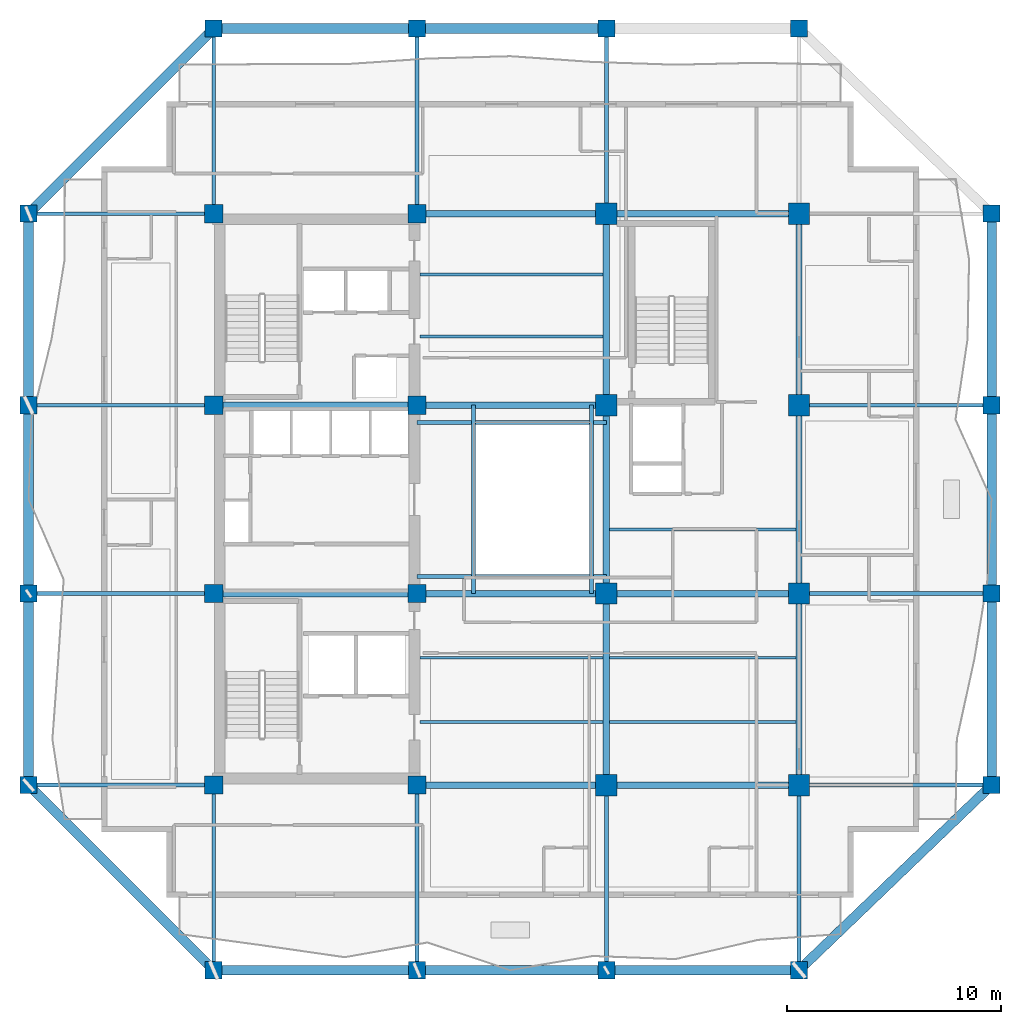
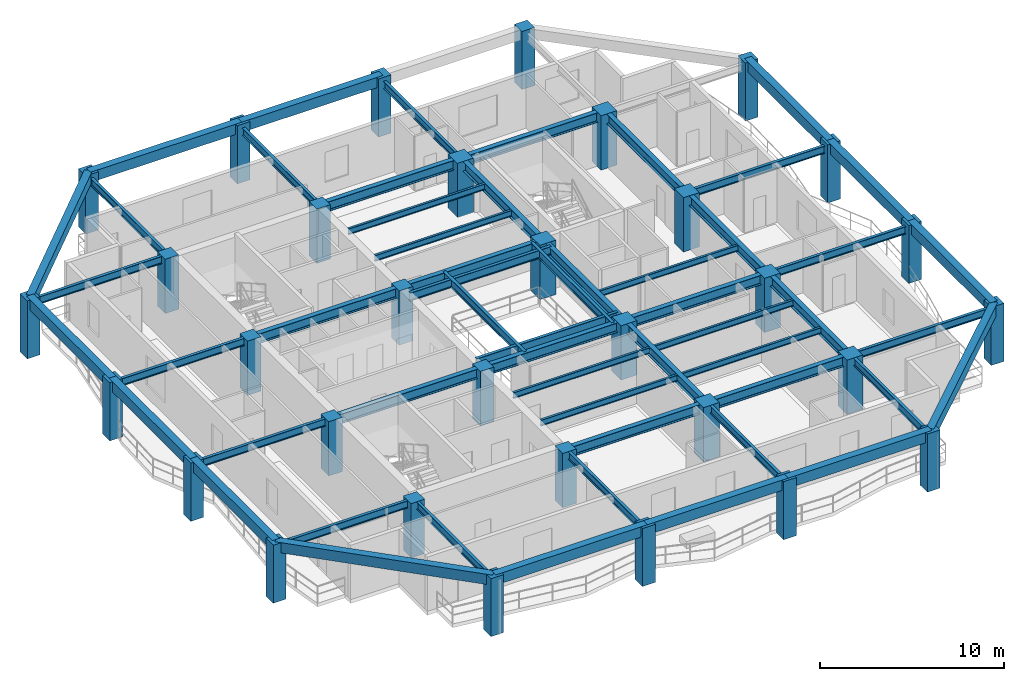
# One storey, part 1 of 10: 54 beams, 32 columns.
"""IFC4 building model written with IfcOpenShell, lengths in metres."""

from ifc_helpers import new_model, si_unit, direction, frame, origin, origin_2d, place, context, subcontext, project, spatial, rectangle, i_section, extrude, material, material_profile, profile_set, type_object, element, save


model = new_model("IFC4")

# Units and contexts
model_context = context("Model", 3, precision=1e-05, world=origin(), true_north=direction((0.0, 1.0)))
body_context = subcontext(model_context, "Body", "Model", "MODEL_VIEW")
ifc_project = project(units=[si_unit("LENGTHUNIT", "METRE"), si_unit("AREAUNIT", "SQUARE_METRE"), si_unit("VOLUMEUNIT", "CUBIC_METRE"), si_unit("PLANEANGLEUNIT", "RADIAN"), si_unit("MASSUNIT", "GRAM", prefix="KILO")], contexts=[model_context])

# Site, building, storey
site_placement = place(None, origin())
site = spatial("IfcSite", under=ifc_project, at=site_placement, CompositionType="ELEMENT")
building_placement = place(site_placement, origin())
building = spatial("IfcBuilding", under=site, at=building_placement, Name="Kundavana Baori Tower", CompositionType="ELEMENT")
storey_placement = place(building_placement, frame((0.0, 0.0, 115.550048828125)))
storey = spatial("IfcBuildingStorey", under=building, at=storey_placement, Name="L27", CompositionType="ELEMENT", Elevation=115.550048828125)

# Columns
ifc_material_1 = material(Name="Concrete C50/60", Category="concrete")
ifc_material_profile_1 = material_profile(ifc_material_1, rectangle(XDim=0.800048828125, YDim=0.800048828125, at=origin_2d()), Name="RC PF 800x800")
ifc_profile_set_1 = profile_set([ifc_material_profile_1], Name="Concrete C50/60")
column_type_1 = type_object("IfcColumnType", Name="COL-PF-800", PredefinedType="COLUMN", material=ifc_profile_set_1)
for number, where, z_axis, x_axis, name in (
    (1, (15.449951171875, 6.60009765625, 0.0), (0.0, 0.0, 1.0), (1.0, 0.0, 0.0), "L27 Stone-Clad Perimeter Frame Column PF-S1"),
    (2, (15.449951171875, 50.60009765625, 0.0), (0.0, 0.0, 1.0), (1.0, 0.0, 0.0), "L27 Stone-Clad Perimeter Frame Column PF-N1"),
    (3, (24.949951171875, 6.60009765625, 0.0), (0.0, 0.0, 1.0), (1.0, 0.0, 0.0), "L27 Stone-Clad Perimeter Frame Column PF-S2"),
    (4, (24.949951171875, 50.60009765625, 0.0), (0.0, 0.0, 1.0), (1.0, 0.0, 0.0), "L27 Stone-Clad Perimeter Frame Column PF-N2"),
    (5, (33.800048828125, 6.60009765625, 0.0), (0.0, 0.0, 1.0), (1.0, 0.0, 0.0), "L27 Stone-Clad Perimeter Frame Column PF-S3"),
    (6, (33.800048828125, 50.60009765625, 0.0), (0.0, 0.0, 1.0), (1.0, 0.0, 0.0), "L27 Stone-Clad Perimeter Frame Column PF-N3"),
    (7, (42.800048828125, 6.60009765625, 0.0), (0.0, 0.0, 1.0), (1.0, 0.0, 0.0), "L27 Stone-Clad Perimeter Frame Column PF-S4"),
    (8, (42.800048828125, 50.60009765625, 0.0), (0.0, 0.0, 1.0), (1.0, 0.0, 0.0), "L27 Stone-Clad Perimeter Frame Column PF-N4"),
    (9, (6.800048828125, 15.25, 0.0), (0.0, 0.0, 1.0), (1.0, 0.0, 0.0), "L27 Stone-Clad Perimeter Frame Column PF-W1"),
    (10, (51.800048828125, 15.25, 0.0), (0.0, 0.0, 1.0), (1.0, 0.0, 0.0), "L27 Stone-Clad Perimeter Frame Column PF-E1"),
    (11, (6.800048828125, 24.199951171875, 0.0), (0.0, 0.0, 1.0), (1.0, 0.0, 0.0), "L27 Stone-Clad Perimeter Frame Column PF-W2"),
    (12, (51.800048828125, 24.199951171875, 0.0), (0.0, 0.0, 1.0), (1.0, 0.0, 0.0), "L27 Stone-Clad Perimeter Frame Column PF-E2"),
    (13, (6.800048828125, 33.0, 0.0), (0.0, 0.0, 1.0), (1.0, 0.0, 0.0), "L27 Stone-Clad Perimeter Frame Column PF-W3"),
    (14, (51.800048828125, 33.0, 0.0), (0.0, 0.0, 1.0), (1.0, 0.0, 0.0), "L27 Stone-Clad Perimeter Frame Column PF-E3"),
    (15, (6.800048828125, 41.949951171875, 0.0), (0.0, 0.0, 1.0), (1.0, 0.0, 0.0), "L27 Stone-Clad Perimeter Frame Column PF-W4"),
    (16, (51.800048828125, 41.949951171875, 0.0), (0.0, 0.0, 1.0), (1.0, 0.0, 0.0), "L27 Stone-Clad Perimeter Frame Column PF-E4"),
):
    element("IfcColumn", number, at=place(storey_placement, frame(where, z_axis=z_axis, x_axis=x_axis)), inside=storey, type_object=column_type_1, Name=name, PredefinedType="COLUMN", context=body_context, shape_type="SweptSolid", body=[
        extrude(rectangle(XDim=0.800048828125, YDim=0.800048828125, at=origin_2d()), origin(), (0.0, 0.0, 1.0), 3.849853515625),
    ])
ifc_material_2 = material(Name="Concrete C50/60", Category="concrete")
ifc_material_profile_2 = material_profile(ifc_material_2, rectangle(XDim=1.0, YDim=1.0, at=origin_2d()), Name="RC 1000x1000")
ifc_profile_set_2 = profile_set([ifc_material_profile_2], Name="Concrete C50/60")
column_type_2 = type_object("IfcColumnType", Name="COL-RC-1000", PredefinedType="COLUMN", material=ifc_profile_set_2)
for number, where, z_axis, x_axis, name in (
    (17, (33.800048828125, 15.25, 0.0), (0.0, 0.0, 1.0), (1.0, 0.0, 0.0), "L27 Interior Column IC-5C"),
    (18, (33.800048828125, 24.199951171875, 0.0), (0.0, 0.0, 1.0), (1.0, 0.0, 0.0), "L27 Interior Column IC-5D"),
    (19, (33.800048828125, 33.0, 0.0), (0.0, 0.0, 1.0), (1.0, 0.0, 0.0), "L27 Interior Column IC-5E"),
    (20, (33.800048828125, 41.949951171875, 0.0), (0.0, 0.0, 1.0), (1.0, 0.0, 0.0), "L27 Interior Column IC-5F"),
    (21, (42.800048828125, 15.25, 0.0), (0.0, 0.0, 1.0), (1.0, 0.0, 0.0), "L27 Interior Column IC-6C"),
    (22, (42.800048828125, 24.199951171875, 0.0), (0.0, 0.0, 1.0), (1.0, 0.0, 0.0), "L27 Interior Column IC-6D"),
    (23, (42.800048828125, 33.0, 0.0), (0.0, 0.0, 1.0), (1.0, 0.0, 0.0), "L27 Interior Column IC-6E"),
    (24, (42.800048828125, 41.949951171875, 0.0), (0.0, 0.0, 1.0), (1.0, 0.0, 0.0), "L27 Interior Column IC-6F"),
):
    element("IfcColumn", number, at=place(storey_placement, frame(where, z_axis=z_axis, x_axis=x_axis)), inside=storey, type_object=column_type_2, Name=name, PredefinedType="COLUMN", context=body_context, shape_type="SweptSolid", body=[
        extrude(rectangle(XDim=1.0, YDim=1.0, at=origin_2d()), origin(), (0.0, 0.0, 1.0), 3.599853515625),
    ])
ifc_material_3 = material(Name="Concrete C50/60", Category="concrete")
ifc_material_profile_3 = material_profile(ifc_material_3, rectangle(XDim=0.85009765625, YDim=0.85009765625, at=origin_2d()), Name="RC 850x850")
ifc_profile_set_3 = profile_set([ifc_material_profile_3], Name="Concrete C50/60")
column_type_3 = type_object("IfcColumnType", Name="COL-RC-850", PredefinedType="COLUMN", material=ifc_profile_set_3)
for number, where, z_axis, x_axis, name in (
    (25, (15.449951171875, 15.25, 0.0), (0.0, 0.0, 1.0), (1.0, 0.0, 0.0), "L27 Interior Column IC-3C"),
    (26, (15.449951171875, 24.199951171875, 0.0), (0.0, 0.0, 1.0), (1.0, 0.0, 0.0), "L27 Interior Column IC-3D"),
    (27, (15.449951171875, 33.0, 0.0), (0.0, 0.0, 1.0), (1.0, 0.0, 0.0), "L27 Interior Column IC-3E"),
    (28, (15.449951171875, 41.949951171875, 0.0), (0.0, 0.0, 1.0), (1.0, 0.0, 0.0), "L27 Interior Column IC-3F"),
    (29, (24.949951171875, 15.25, 0.0), (0.0, 0.0, 1.0), (1.0, 0.0, 0.0), "L27 Interior Column IC-4C"),
    (30, (24.949951171875, 24.199951171875, 0.0), (0.0, 0.0, 1.0), (1.0, 0.0, 0.0), "L27 Interior Column IC-4D"),
    (31, (24.949951171875, 33.0, 0.0), (0.0, 0.0, 1.0), (1.0, 0.0, 0.0), "L27 Interior Column IC-4E"),
    (32, (24.949951171875, 41.949951171875, 0.0), (0.0, 0.0, 1.0), (1.0, 0.0, 0.0), "L27 Interior Column IC-4F"),
):
    element("IfcColumn", number, at=place(storey_placement, frame(where, z_axis=z_axis, x_axis=x_axis)), inside=storey, type_object=column_type_3, Name=name, PredefinedType="COLUMN", context=body_context, shape_type="SweptSolid", body=[
        extrude(rectangle(XDim=0.85009765625, YDim=0.85009765625, at=origin_2d()), origin(), (0.0, 0.0, 1.0), 3.599853515625),
    ])

# Beams
ifc_material_4 = material(Name="Structural Steel S355JR", Category="steel")
ifc_material_profile_4 = material_profile(ifc_material_4, i_section(OverallWidth=0.139892578125, OverallDepth=0.39990234375, WebThickness=0.0087890625, FlangeThickness=0.01611328125, FilletRadius=0.013916015625, at=origin_2d()), Name="ISMB 400")
ifc_profile_set_4 = profile_set([ifc_material_profile_4], Name="Structural Steel S355JR")
beam_type_1 = type_object("IfcBeamType", Name="BM-JST-400", PredefinedType="JOIST", material=ifc_profile_set_4)
for number, where, z_axis, x_axis, name in (
    (33, (25.080078125, 18.199951171875, 3.39990234375), (1.0, 0.0, 0.0), (0.0, 1.0, 0.0), "L27 Central Bay Composite Floor Joist C1"),
    (34, (25.080078125, 21.199951171875, 3.39990234375), (1.0, 0.0, 0.0), (0.0, 1.0, 0.0), "L27 Central Bay Composite Floor Joist C2"),
    (35, (25.080078125, 36.199951171875, 3.39990234375), (1.0, 0.0, 0.0), (0.0, 1.0, 0.0), "L27 Central Bay Composite Floor Joist C3"),
    (36, (25.080078125, 39.10009765625, 3.39990234375), (1.0, 0.0, 0.0), (0.0, 1.0, 0.0), "L27 Central Bay Composite Floor Joist C4"),
):
    element("IfcBeam", number, at=place(storey_placement, frame(where, z_axis=z_axis, x_axis=x_axis)), inside=storey, type_object=beam_type_1, Name=name, PredefinedType="JOIST", context=body_context, shape_type="SweptSolid", body=[
        extrude(i_section(OverallWidth=0.139892578125, OverallDepth=0.39990234375, WebThickness=0.0087890625, FlangeThickness=0.01611328125, FilletRadius=0.013916015625, at=origin_2d()), origin(), (0.0, 0.0, 1.0), 8.56982421875),
    ])
for number, where, z_axis, x_axis, name in (
    (37, (33.949951171875, 18.199951171875, 3.39990234375), (1.0, 0.0, 0.0), (0.0, 1.0, 0.0), "L27 East Bay Composite Floor Joist E1"),
    (38, (33.949951171875, 21.199951171875, 3.39990234375), (1.0, 0.0, 0.0), (0.0, 1.0, 0.0), "L27 East Bay Composite Floor Joist E2"),
    (39, (33.949951171875, 27.199951171875, 3.39990234375), (1.0, 0.0, 0.0), (0.0, 1.0, 0.0), "L27 East Bay Composite Floor Joist E3"),
):
    element("IfcBeam", number, at=place(storey_placement, frame(where, z_axis=z_axis, x_axis=x_axis)), inside=storey, type_object=beam_type_1, Name=name, PredefinedType="JOIST", context=body_context, shape_type="SweptSolid", body=[
        extrude(i_section(OverallWidth=0.139892578125, OverallDepth=0.39990234375, WebThickness=0.0087890625, FlangeThickness=0.01611328125, FilletRadius=0.013916015625, at=origin_2d()), origin(), (0.0, 0.0, 1.0), 8.699951171875),
    ])
ifc_material_5 = material(Name="Concrete C50/60", Category="concrete")
ifc_material_profile_5 = material_profile(ifc_material_5, rectangle(XDim=0.449951171875, YDim=0.679931640625, at=origin_2d()), Name="RC BM 450x680")
ifc_profile_set_5 = profile_set([ifc_material_profile_5], Name="Concrete C50/60")
beam_type_2 = type_object("IfcBeamType", Name="BM-PF-680", PredefinedType="SPANDREL", material=ifc_profile_set_5)
beam_1_placement = place(storey_placement, frame((15.449951171875, 6.60009765625, 3.510009765625), z_axis=(1.0, 0.0, 0.0), x_axis=(0.0, 1.0, 0.0)))
element("IfcBeam", 40, at=beam_1_placement, inside=storey, type_object=beam_type_2, Name="L27 Perimeter Frame Ring Beam S1", PredefinedType="SPANDREL", context=body_context, shape_type="SweptSolid", body=[
    extrude(rectangle(XDim=0.449951171875, YDim=0.679931640625, at=origin_2d()), origin(), (0.0, 0.0, 1.0), 9.5),
])
beam_2_placement = place(storey_placement, frame((24.949951171875, 6.60009765625, 3.510009765625), z_axis=(1.0, 0.0, 0.0), x_axis=(0.0, 1.0, 0.0)))
element("IfcBeam", 41, at=beam_2_placement, inside=storey, type_object=beam_type_2, Name="L27 Perimeter Frame Ring Beam S2", PredefinedType="SPANDREL", context=body_context, shape_type="SweptSolid", body=[
    extrude(rectangle(XDim=0.449951171875, YDim=0.679931640625, at=origin_2d()), origin(), (0.0, 0.0, 1.0), 8.85009765625),
])
beam_3_placement = place(storey_placement, frame((33.800048828125, 6.60009765625, 3.510009765625), z_axis=(1.0, 0.0, 0.0), x_axis=(0.0, 1.0, 0.0)))
element("IfcBeam", 42, at=beam_3_placement, inside=storey, type_object=beam_type_2, Name="L27 Perimeter Frame Ring Beam S3", PredefinedType="SPANDREL", context=body_context, shape_type="SweptSolid", body=[
    extrude(rectangle(XDim=0.449951171875, YDim=0.679931640625, at=origin_2d()), origin(), (0.0, 0.0, 1.0), 9.0),
])
beam_4_placement = place(storey_placement, frame((15.449951171875, 50.60009765625, 3.510009765625), z_axis=(1.0, 0.0, 0.0), x_axis=(0.0, 1.0, 0.0)))
element("IfcBeam", 43, at=beam_4_placement, inside=storey, type_object=beam_type_2, Name="L27 Perimeter Frame Ring Beam N1", PredefinedType="SPANDREL", context=body_context, shape_type="SweptSolid", body=[
    extrude(rectangle(XDim=0.449951171875, YDim=0.679931640625, at=origin_2d()), origin(), (0.0, 0.0, 1.0), 9.5),
])
beam_5_placement = place(storey_placement, frame((24.949951171875, 50.60009765625, 3.510009765625), z_axis=(1.0, 0.0, 0.0), x_axis=(0.0, 1.0, 0.0)))
element("IfcBeam", 44, at=beam_5_placement, inside=storey, type_object=beam_type_2, Name="L27 Perimeter Frame Ring Beam N2", PredefinedType="SPANDREL", context=body_context, shape_type="SweptSolid", body=[
    extrude(rectangle(XDim=0.449951171875, YDim=0.679931640625, at=origin_2d()), origin(), (0.0, 0.0, 1.0), 8.85009765625),
])
beam_6_placement = place(storey_placement, frame((6.800048828125, 15.25, 3.510009765625), z_axis=(0.0, 1.0, 0.0), x_axis=(-1.0, 0.0, 0.0)))
element("IfcBeam", 45, at=beam_6_placement, inside=storey, type_object=beam_type_2, Name="L27 Perimeter Frame Ring Beam W1", PredefinedType="SPANDREL", context=body_context, shape_type="SweptSolid", body=[
    extrude(rectangle(XDim=0.449951171875, YDim=0.679931640625, at=origin_2d()), origin(), (0.0, 0.0, 1.0), 8.949951171875),
])
beam_7_placement = place(storey_placement, frame((6.800048828125, 24.199951171875, 3.510009765625), z_axis=(0.0, 1.0, 0.0), x_axis=(-1.0, 0.0, 0.0)))
element("IfcBeam", 46, at=beam_7_placement, inside=storey, type_object=beam_type_2, Name="L27 Perimeter Frame Ring Beam W2", PredefinedType="SPANDREL", context=body_context, shape_type="SweptSolid", body=[
    extrude(rectangle(XDim=0.449951171875, YDim=0.679931640625, at=origin_2d()), origin(), (0.0, 0.0, 1.0), 8.800048828125),
])
for number, where, z_axis, x_axis, name in (
    (47, (6.800048828125, 33.0, 3.510009765625), (0.0, 1.0, 0.0), (-1.0, 0.0, 0.0), "L27 Perimeter Frame Ring Beam W3"),
    (48, (51.800048828125, 15.25, 3.510009765625), (0.0, 1.0, 0.0), (-1.0, 0.0, 0.0), "L27 Perimeter Frame Ring Beam E1"),
):
    element("IfcBeam", number, at=place(storey_placement, frame(where, z_axis=z_axis, x_axis=x_axis)), inside=storey, type_object=beam_type_2, Name=name, PredefinedType="SPANDREL", context=body_context, shape_type="SweptSolid", body=[
        extrude(rectangle(XDim=0.449951171875, YDim=0.679931640625, at=origin_2d()), origin(), (0.0, 0.0, 1.0), 8.949951171875),
    ])
beam_8_placement = place(storey_placement, frame((51.800048828125, 24.199951171875, 3.510009765625), z_axis=(0.0, 1.0, 0.0), x_axis=(-1.0, 0.0, 0.0)))
element("IfcBeam", 49, at=beam_8_placement, inside=storey, type_object=beam_type_2, Name="L27 Perimeter Frame Ring Beam E2", PredefinedType="SPANDREL", context=body_context, shape_type="SweptSolid", body=[
    extrude(rectangle(XDim=0.449951171875, YDim=0.679931640625, at=origin_2d()), origin(), (0.0, 0.0, 1.0), 8.800048828125),
])
beam_9_placement = place(storey_placement, frame((51.800048828125, 33.0, 3.510009765625), z_axis=(0.0, 1.0, 0.0), x_axis=(-1.0, 0.0, 0.0)))
element("IfcBeam", 50, at=beam_9_placement, inside=storey, type_object=beam_type_2, Name="L27 Perimeter Frame Ring Beam E3", PredefinedType="SPANDREL", context=body_context, shape_type="SweptSolid", body=[
    extrude(rectangle(XDim=0.449951171875, YDim=0.679931640625, at=origin_2d()), origin(), (0.0, 0.0, 1.0), 8.949951171875),
])
beam_10_placement = place(storey_placement, frame((15.449951171875, 6.60009765625, 3.510009765625), z_axis=(-0.707106781187, 0.707106781187, 0.0), x_axis=(-0.707106781187, -0.707106781187, 0.0)))
element("IfcBeam", 51, at=beam_10_placement, inside=storey, type_object=beam_type_2, Name="L27 Notched Corner Perimeter Beam SW", PredefinedType="SPANDREL", context=body_context, shape_type="SweptSolid", body=[
    extrude(rectangle(XDim=0.449951171875, YDim=0.679931640625, at=origin_2d()), origin(), (0.0, 0.0, 1.0), 12.23291015625),
])
beam_11_placement = place(storey_placement, frame((42.800048828125, 6.60009765625, 3.510009765625), z_axis=(0.720990894297, 0.692944536266, 0.0), x_axis=(-0.692944536266, 0.720990894297, 0.0)))
element("IfcBeam", 52, at=beam_11_placement, inside=storey, type_object=beam_type_2, Name="L27 Notched Corner Perimeter Beam SE", PredefinedType="SPANDREL", context=body_context, shape_type="SweptSolid", body=[
    extrude(rectangle(XDim=0.449951171875, YDim=0.679931640625, at=origin_2d()), origin(), (0.0, 0.0, 1.0), 12.48291015625),
])
beam_12_placement = place(storey_placement, frame((15.449951171875, 50.60009765625, 3.510009765625), z_axis=(-0.70709680233, -0.707116759903, 0.0), x_axis=(0.707116759903, -0.70709680233, 0.0)))
element("IfcBeam", 53, at=beam_12_placement, inside=storey, type_object=beam_type_2, Name="L27 Notched Corner Perimeter Beam NW", PredefinedType="SPANDREL", context=body_context, shape_type="SweptSolid", body=[
    extrude(rectangle(XDim=0.449951171875, YDim=0.679931640625, at=origin_2d()), origin(), (0.0, 0.0, 1.0), 12.23291015625),
])
ifc_material_6 = material(Name="Structural Steel S355JR", Category="steel")
ifc_material_profile_6 = material_profile(ifc_material_6, i_section(OverallWidth=0.18994140625, OverallDepth=0.550048828125, WebThickness=0.01123046875, FlangeThickness=0.019287109375, FilletRadius=0.01806640625, at=origin_2d()), Name="ISMB 550")
ifc_profile_set_6 = profile_set([ifc_material_profile_6], Name="Structural Steel S355JR")
beam_type_3 = type_object("IfcBeamType", Name="BM-ST-550", PredefinedType="BEAM", material=ifc_profile_set_6)
for number, where, z_axis, x_axis, name in (
    (54, (27.60009765625, 24.199951171875, 3.324951171875), (0.0, 1.0, 0.0), (-1.0, 0.0, 0.0), "L27 Atrium West Edge Beam"),
    (55, (33.10009765625, 24.199951171875, 3.324951171875), (0.0, 1.0, 0.0), (-1.0, 0.0, 0.0), "L27 Atrium East Edge Beam"),
):
    element("IfcBeam", number, at=place(storey_placement, frame(where, z_axis=z_axis, x_axis=x_axis)), inside=storey, type_object=beam_type_3, Name=name, PredefinedType="BEAM", context=body_context, shape_type="SweptSolid", body=[
        extrude(i_section(OverallWidth=0.18994140625, OverallDepth=0.550048828125, WebThickness=0.01123046875, FlangeThickness=0.019287109375, FilletRadius=0.01806640625, at=origin_2d()), origin(), (0.0, 0.0, 1.0), 8.800048828125),
    ])
for number, where, z_axis, x_axis, name in (
    (56, (24.949951171875, 25.0, 3.324951171875), (1.0, 0.0, 0.0), (0.0, 1.0, 0.0), "L27 Atrium South Edge Beam"),
    (57, (24.949951171875, 32.199951171875, 3.324951171875), (1.0, 0.0, 0.0), (0.0, 1.0, 0.0), "L27 Atrium North Edge Beam"),
):
    element("IfcBeam", number, at=place(storey_placement, frame(where, z_axis=z_axis, x_axis=x_axis)), inside=storey, type_object=beam_type_3, Name=name, PredefinedType="BEAM", context=body_context, shape_type="SweptSolid", body=[
        extrude(i_section(OverallWidth=0.18994140625, OverallDepth=0.550048828125, WebThickness=0.01123046875, FlangeThickness=0.019287109375, FilletRadius=0.01806640625, at=origin_2d()), origin(), (0.0, 0.0, 1.0), 8.85009765625),
    ])
ifc_material_7 = material(Name="Structural Steel S355JR", Category="steel")
ifc_material_profile_7 = material_profile(ifc_material_7, i_section(OverallWidth=0.300048828125, OverallDepth=0.64990234375, WebThickness=0.013427734375, FlangeThickness=0.02197265625, FilletRadius=0.02392578125, at=origin_2d()), Name="NPB 650x300x155")
ifc_profile_set_7 = profile_set([ifc_material_profile_7], Name="Structural Steel S355JR")
beam_type_4 = type_object("IfcBeamType", Name="BM-ST-650", PredefinedType="BEAM", material=ifc_profile_set_7)
beam_13_placement = place(storey_placement, frame((24.949951171875, 15.25, 3.27490234375), z_axis=(1.0, 0.0, 0.0), x_axis=(0.0, 1.0, 0.0)))
element("IfcBeam", 58, at=beam_13_placement, inside=storey, type_object=beam_type_4, Name="L27 Primary Grid Girder GX-1-2", PredefinedType="BEAM", context=body_context, shape_type="SweptSolid", body=[
    extrude(i_section(OverallWidth=0.300048828125, OverallDepth=0.64990234375, WebThickness=0.013427734375, FlangeThickness=0.02197265625, FilletRadius=0.02392578125, at=origin_2d()), origin(), (0.0, 0.0, 1.0), 8.85009765625),
])
beam_14_placement = place(storey_placement, frame((33.800048828125, 15.25, 3.27490234375), z_axis=(1.0, 0.0, 0.0), x_axis=(0.0, 1.0, 0.0)))
element("IfcBeam", 59, at=beam_14_placement, inside=storey, type_object=beam_type_4, Name="L27 Primary Grid Girder GX-1-3", PredefinedType="BEAM", context=body_context, shape_type="SweptSolid", body=[
    extrude(i_section(OverallWidth=0.300048828125, OverallDepth=0.64990234375, WebThickness=0.013427734375, FlangeThickness=0.02197265625, FilletRadius=0.02392578125, at=origin_2d()), origin(), (0.0, 0.0, 1.0), 9.0),
])
beam_15_placement = place(storey_placement, frame((15.449951171875, 24.199951171875, 3.27490234375), z_axis=(1.0, 0.0, 0.0), x_axis=(0.0, 1.0, 0.0)))
element("IfcBeam", 60, at=beam_15_placement, inside=storey, type_object=beam_type_4, Name="L27 Primary Grid Girder GX-2-1", PredefinedType="BEAM", context=body_context, shape_type="SweptSolid", body=[
    extrude(i_section(OverallWidth=0.300048828125, OverallDepth=0.64990234375, WebThickness=0.013427734375, FlangeThickness=0.02197265625, FilletRadius=0.02392578125, at=origin_2d()), origin(), (0.0, 0.0, 1.0), 9.5),
])
beam_16_placement = place(storey_placement, frame((24.949951171875, 24.199951171875, 3.27490234375), z_axis=(1.0, 0.0, 0.0), x_axis=(0.0, 1.0, 0.0)))
element("IfcBeam", 61, at=beam_16_placement, inside=storey, type_object=beam_type_4, Name="L27 Primary Grid Girder GX-2-2", PredefinedType="BEAM", context=body_context, shape_type="SweptSolid", body=[
    extrude(i_section(OverallWidth=0.300048828125, OverallDepth=0.64990234375, WebThickness=0.013427734375, FlangeThickness=0.02197265625, FilletRadius=0.02392578125, at=origin_2d()), origin(), (0.0, 0.0, 1.0), 8.85009765625),
])
beam_17_placement = place(storey_placement, frame((33.800048828125, 24.199951171875, 3.27490234375), z_axis=(1.0, 0.0, 0.0), x_axis=(0.0, 1.0, 0.0)))
element("IfcBeam", 62, at=beam_17_placement, inside=storey, type_object=beam_type_4, Name="L27 Primary Grid Girder GX-2-3", PredefinedType="BEAM", context=body_context, shape_type="SweptSolid", body=[
    extrude(i_section(OverallWidth=0.300048828125, OverallDepth=0.64990234375, WebThickness=0.013427734375, FlangeThickness=0.02197265625, FilletRadius=0.02392578125, at=origin_2d()), origin(), (0.0, 0.0, 1.0), 9.0),
])
beam_18_placement = place(storey_placement, frame((15.449951171875, 33.0, 3.27490234375), z_axis=(1.0, 0.0, 0.0), x_axis=(0.0, 1.0, 0.0)))
element("IfcBeam", 63, at=beam_18_placement, inside=storey, type_object=beam_type_4, Name="L27 Primary Grid Girder GX-3-1", PredefinedType="BEAM", context=body_context, shape_type="SweptSolid", body=[
    extrude(i_section(OverallWidth=0.300048828125, OverallDepth=0.64990234375, WebThickness=0.013427734375, FlangeThickness=0.02197265625, FilletRadius=0.02392578125, at=origin_2d()), origin(), (0.0, 0.0, 1.0), 9.5),
])
for number, where, z_axis, x_axis, name in (
    (64, (24.949951171875, 33.0, 3.27490234375), (1.0, 0.0, 0.0), (0.0, 1.0, 0.0), "L27 Primary Grid Girder GX-3-2"),
    (65, (24.949951171875, 41.949951171875, 3.27490234375), (1.0, 0.0, 0.0), (0.0, 1.0, 0.0), "L27 Primary Grid Girder GX-4-2"),
):
    element("IfcBeam", number, at=place(storey_placement, frame(where, z_axis=z_axis, x_axis=x_axis)), inside=storey, type_object=beam_type_4, Name=name, PredefinedType="BEAM", context=body_context, shape_type="SweptSolid", body=[
        extrude(i_section(OverallWidth=0.300048828125, OverallDepth=0.64990234375, WebThickness=0.013427734375, FlangeThickness=0.02197265625, FilletRadius=0.02392578125, at=origin_2d()), origin(), (0.0, 0.0, 1.0), 8.85009765625),
    ])
beam_19_placement = place(storey_placement, frame((33.800048828125, 41.949951171875, 3.27490234375), z_axis=(1.0, 0.0, 0.0), x_axis=(0.0, 1.0, 0.0)))
element("IfcBeam", 66, at=beam_19_placement, inside=storey, type_object=beam_type_4, Name="L27 Primary Grid Girder GX-4-3", PredefinedType="BEAM", context=body_context, shape_type="SweptSolid", body=[
    extrude(i_section(OverallWidth=0.300048828125, OverallDepth=0.64990234375, WebThickness=0.013427734375, FlangeThickness=0.02197265625, FilletRadius=0.02392578125, at=origin_2d()), origin(), (0.0, 0.0, 1.0), 9.0),
])
beam_20_placement = place(storey_placement, frame((33.800048828125, 15.25, 3.27490234375), z_axis=(0.0, 1.0, 0.0), x_axis=(-1.0, 0.0, 0.0)))
element("IfcBeam", 67, at=beam_20_placement, inside=storey, type_object=beam_type_4, Name="L27 Primary Grid Girder GY-3-1", PredefinedType="BEAM", context=body_context, shape_type="SweptSolid", body=[
    extrude(i_section(OverallWidth=0.300048828125, OverallDepth=0.64990234375, WebThickness=0.013427734375, FlangeThickness=0.02197265625, FilletRadius=0.02392578125, at=origin_2d()), origin(), (0.0, 0.0, 1.0), 8.949951171875),
])
beam_21_placement = place(storey_placement, frame((33.800048828125, 24.199951171875, 3.27490234375), z_axis=(0.0, 1.0, 0.0), x_axis=(-1.0, 0.0, 0.0)))
element("IfcBeam", 68, at=beam_21_placement, inside=storey, type_object=beam_type_4, Name="L27 Primary Grid Girder GY-3-2", PredefinedType="BEAM", context=body_context, shape_type="SweptSolid", body=[
    extrude(i_section(OverallWidth=0.300048828125, OverallDepth=0.64990234375, WebThickness=0.013427734375, FlangeThickness=0.02197265625, FilletRadius=0.02392578125, at=origin_2d()), origin(), (0.0, 0.0, 1.0), 8.800048828125),
])
for number, where, z_axis, x_axis, name in (
    (69, (33.800048828125, 33.0, 3.27490234375), (0.0, 1.0, 0.0), (-1.0, 0.0, 0.0), "L27 Primary Grid Girder GY-3-3"),
    (70, (42.800048828125, 15.25, 3.27490234375), (0.0, 1.0, 0.0), (-1.0, 0.0, 0.0), "L27 Primary Grid Girder GY-4-1"),
):
    element("IfcBeam", number, at=place(storey_placement, frame(where, z_axis=z_axis, x_axis=x_axis)), inside=storey, type_object=beam_type_4, Name=name, PredefinedType="BEAM", context=body_context, shape_type="SweptSolid", body=[
        extrude(i_section(OverallWidth=0.300048828125, OverallDepth=0.64990234375, WebThickness=0.013427734375, FlangeThickness=0.02197265625, FilletRadius=0.02392578125, at=origin_2d()), origin(), (0.0, 0.0, 1.0), 8.949951171875),
    ])
beam_22_placement = place(storey_placement, frame((42.800048828125, 24.199951171875, 3.27490234375), z_axis=(0.0, 1.0, 0.0), x_axis=(-1.0, 0.0, 0.0)))
element("IfcBeam", 71, at=beam_22_placement, inside=storey, type_object=beam_type_4, Name="L27 Primary Grid Girder GY-4-2", PredefinedType="BEAM", context=body_context, shape_type="SweptSolid", body=[
    extrude(i_section(OverallWidth=0.300048828125, OverallDepth=0.64990234375, WebThickness=0.013427734375, FlangeThickness=0.02197265625, FilletRadius=0.02392578125, at=origin_2d()), origin(), (0.0, 0.0, 1.0), 8.800048828125),
])
beam_23_placement = place(storey_placement, frame((42.800048828125, 33.0, 3.27490234375), z_axis=(0.0, 1.0, 0.0), x_axis=(-1.0, 0.0, 0.0)))
element("IfcBeam", 72, at=beam_23_placement, inside=storey, type_object=beam_type_4, Name="L27 Primary Grid Girder GY-4-3", PredefinedType="BEAM", context=body_context, shape_type="SweptSolid", body=[
    extrude(i_section(OverallWidth=0.300048828125, OverallDepth=0.64990234375, WebThickness=0.013427734375, FlangeThickness=0.02197265625, FilletRadius=0.02392578125, at=origin_2d()), origin(), (0.0, 0.0, 1.0), 8.949951171875),
])
ifc_material_8 = material(Name="Structural Steel S355JR", Category="steel")
ifc_material_profile_8 = material_profile(ifc_material_8, i_section(OverallWidth=0.179931640625, OverallDepth=0.5, WebThickness=0.01025390625, FlangeThickness=0.01708984375, FilletRadius=0.01708984375, at=origin_2d()), Name="ISMB 500")
ifc_profile_set_8 = profile_set([ifc_material_profile_8], Name="Structural Steel S355JR")
beam_type_5 = type_object("IfcBeamType", Name="BM-TIE-500", PredefinedType="BEAM", material=ifc_profile_set_8)
beam_24_placement = place(storey_placement, frame((15.449951171875, 15.25, 3.349853515625), z_axis=(0.0, -1.0, 0.0), x_axis=(1.0, 0.0, 0.0)))
element("IfcBeam", 73, at=beam_24_placement, inside=storey, type_object=beam_type_5, Name="L27 South Radial Loggia Tie Beam S1", PredefinedType="BEAM", context=body_context, shape_type="SweptSolid", body=[
    extrude(i_section(OverallWidth=0.179931640625, OverallDepth=0.5, WebThickness=0.01025390625, FlangeThickness=0.01708984375, FilletRadius=0.01708984375, at=origin_2d()), origin(), (0.0, 0.0, 1.0), 8.64990234375),
])
beam_25_placement = place(storey_placement, frame((15.449951171875, 41.949951171875, 3.349853515625), z_axis=(0.0, 1.0, 0.0), x_axis=(-1.0, 0.0, 0.0)))
element("IfcBeam", 74, at=beam_25_placement, inside=storey, type_object=beam_type_5, Name="L27 North Radial Loggia Tie Beam N1", PredefinedType="BEAM", context=body_context, shape_type="SweptSolid", body=[
    extrude(i_section(OverallWidth=0.179931640625, OverallDepth=0.5, WebThickness=0.01025390625, FlangeThickness=0.01708984375, FilletRadius=0.01708984375, at=origin_2d()), origin(), (0.0, 0.0, 1.0), 8.650146484375),
])
beam_26_placement = place(storey_placement, frame((24.949951171875, 15.25, 3.349853515625), z_axis=(0.0, -1.0, 0.0), x_axis=(1.0, 0.0, 0.0)))
element("IfcBeam", 75, at=beam_26_placement, inside=storey, type_object=beam_type_5, Name="L27 South Radial Loggia Tie Beam S2", PredefinedType="BEAM", context=body_context, shape_type="SweptSolid", body=[
    extrude(i_section(OverallWidth=0.179931640625, OverallDepth=0.5, WebThickness=0.01025390625, FlangeThickness=0.01708984375, FilletRadius=0.01708984375, at=origin_2d()), origin(), (0.0, 0.0, 1.0), 8.64990234375),
])
beam_27_placement = place(storey_placement, frame((24.949951171875, 41.949951171875, 3.349853515625), z_axis=(0.0, 1.0, 0.0), x_axis=(-1.0, 0.0, 0.0)))
element("IfcBeam", 76, at=beam_27_placement, inside=storey, type_object=beam_type_5, Name="L27 North Radial Loggia Tie Beam N2", PredefinedType="BEAM", context=body_context, shape_type="SweptSolid", body=[
    extrude(i_section(OverallWidth=0.179931640625, OverallDepth=0.5, WebThickness=0.01025390625, FlangeThickness=0.01708984375, FilletRadius=0.01708984375, at=origin_2d()), origin(), (0.0, 0.0, 1.0), 8.650146484375),
])
beam_28_placement = place(storey_placement, frame((33.800048828125, 15.25, 3.349853515625), z_axis=(0.0, -1.0, 0.0), x_axis=(1.0, 0.0, 0.0)))
element("IfcBeam", 77, at=beam_28_placement, inside=storey, type_object=beam_type_5, Name="L27 South Radial Loggia Tie Beam S3", PredefinedType="BEAM", context=body_context, shape_type="SweptSolid", body=[
    extrude(i_section(OverallWidth=0.179931640625, OverallDepth=0.5, WebThickness=0.01025390625, FlangeThickness=0.01708984375, FilletRadius=0.01708984375, at=origin_2d()), origin(), (0.0, 0.0, 1.0), 8.64990234375),
])
beam_29_placement = place(storey_placement, frame((33.800048828125, 41.949951171875, 3.349853515625), z_axis=(0.0, 1.0, 0.0), x_axis=(-1.0, 0.0, 0.0)))
element("IfcBeam", 78, at=beam_29_placement, inside=storey, type_object=beam_type_5, Name="L27 North Radial Loggia Tie Beam N3", PredefinedType="BEAM", context=body_context, shape_type="SweptSolid", body=[
    extrude(i_section(OverallWidth=0.179931640625, OverallDepth=0.5, WebThickness=0.01025390625, FlangeThickness=0.01708984375, FilletRadius=0.01708984375, at=origin_2d()), origin(), (0.0, 0.0, 1.0), 8.650146484375),
])
for number, where, z_axis, x_axis, name in (
    (79, (42.800048828125, 15.25, 3.349853515625), (0.0, -1.0, 0.0), (1.0, 0.0, 0.0), "L27 South Radial Loggia Tie Beam S4"),
    (80, (15.449951171875, 15.25, 3.349853515625), (-1.0, 0.0, 0.0), (0.0, -1.0, 0.0), "L27 West Radial Loggia Tie Beam W1"),
):
    element("IfcBeam", number, at=place(storey_placement, frame(where, z_axis=z_axis, x_axis=x_axis)), inside=storey, type_object=beam_type_5, Name=name, PredefinedType="BEAM", context=body_context, shape_type="SweptSolid", body=[
        extrude(i_section(OverallWidth=0.179931640625, OverallDepth=0.5, WebThickness=0.01025390625, FlangeThickness=0.01708984375, FilletRadius=0.01708984375, at=origin_2d()), origin(), (0.0, 0.0, 1.0), 8.64990234375),
    ])
beam_30_placement = place(storey_placement, frame((42.800048828125, 15.25, 3.349853515625), z_axis=(1.0, 0.0, 0.0), x_axis=(0.0, 1.0, 0.0)))
element("IfcBeam", 81, at=beam_30_placement, inside=storey, type_object=beam_type_5, Name="L27 East Radial Loggia Tie Beam E1", PredefinedType="BEAM", context=body_context, shape_type="SweptSolid", body=[
    extrude(i_section(OverallWidth=0.179931640625, OverallDepth=0.5, WebThickness=0.01025390625, FlangeThickness=0.01708984375, FilletRadius=0.01708984375, at=origin_2d()), origin(), (0.0, 0.0, 1.0), 9.0),
])
beam_31_placement = place(storey_placement, frame((15.449951171875, 24.199951171875, 3.349853515625), z_axis=(-1.0, 0.0, 0.0), x_axis=(0.0, -1.0, 0.0)))
element("IfcBeam", 82, at=beam_31_placement, inside=storey, type_object=beam_type_5, Name="L27 West Radial Loggia Tie Beam W2", PredefinedType="BEAM", context=body_context, shape_type="SweptSolid", body=[
    extrude(i_section(OverallWidth=0.179931640625, OverallDepth=0.5, WebThickness=0.01025390625, FlangeThickness=0.01708984375, FilletRadius=0.01708984375, at=origin_2d()), origin(), (0.0, 0.0, 1.0), 8.64990234375),
])
beam_32_placement = place(storey_placement, frame((42.800048828125, 24.199951171875, 3.349853515625), z_axis=(1.0, 0.0, 0.0), x_axis=(0.0, 1.0, 0.0)))
element("IfcBeam", 83, at=beam_32_placement, inside=storey, type_object=beam_type_5, Name="L27 East Radial Loggia Tie Beam E2", PredefinedType="BEAM", context=body_context, shape_type="SweptSolid", body=[
    extrude(i_section(OverallWidth=0.179931640625, OverallDepth=0.5, WebThickness=0.01025390625, FlangeThickness=0.01708984375, FilletRadius=0.01708984375, at=origin_2d()), origin(), (0.0, 0.0, 1.0), 9.0),
])
beam_33_placement = place(storey_placement, frame((15.449951171875, 33.0, 3.349853515625), z_axis=(-1.0, 0.0, 0.0), x_axis=(0.0, -1.0, 0.0)))
element("IfcBeam", 84, at=beam_33_placement, inside=storey, type_object=beam_type_5, Name="L27 West Radial Loggia Tie Beam W3", PredefinedType="BEAM", context=body_context, shape_type="SweptSolid", body=[
    extrude(i_section(OverallWidth=0.179931640625, OverallDepth=0.5, WebThickness=0.01025390625, FlangeThickness=0.01708984375, FilletRadius=0.01708984375, at=origin_2d()), origin(), (0.0, 0.0, 1.0), 8.64990234375),
])
beam_34_placement = place(storey_placement, frame((42.800048828125, 33.0, 3.349853515625), z_axis=(1.0, 0.0, 0.0), x_axis=(0.0, 1.0, 0.0)))
element("IfcBeam", 85, at=beam_34_placement, inside=storey, type_object=beam_type_5, Name="L27 East Radial Loggia Tie Beam E3", PredefinedType="BEAM", context=body_context, shape_type="SweptSolid", body=[
    extrude(i_section(OverallWidth=0.179931640625, OverallDepth=0.5, WebThickness=0.01025390625, FlangeThickness=0.01708984375, FilletRadius=0.01708984375, at=origin_2d()), origin(), (0.0, 0.0, 1.0), 9.0),
])
beam_35_placement = place(storey_placement, frame((15.449951171875, 41.949951171875, 3.349853515625), z_axis=(-1.0, 0.0, 0.0), x_axis=(0.0, -1.0, 0.0)))
element("IfcBeam", 86, at=beam_35_placement, inside=storey, type_object=beam_type_5, Name="L27 West Radial Loggia Tie Beam W4", PredefinedType="BEAM", context=body_context, shape_type="SweptSolid", body=[
    extrude(i_section(OverallWidth=0.179931640625, OverallDepth=0.5, WebThickness=0.01025390625, FlangeThickness=0.01708984375, FilletRadius=0.01708984375, at=origin_2d()), origin(), (0.0, 0.0, 1.0), 8.64990234375),
])

save(model, "model.ifc")
